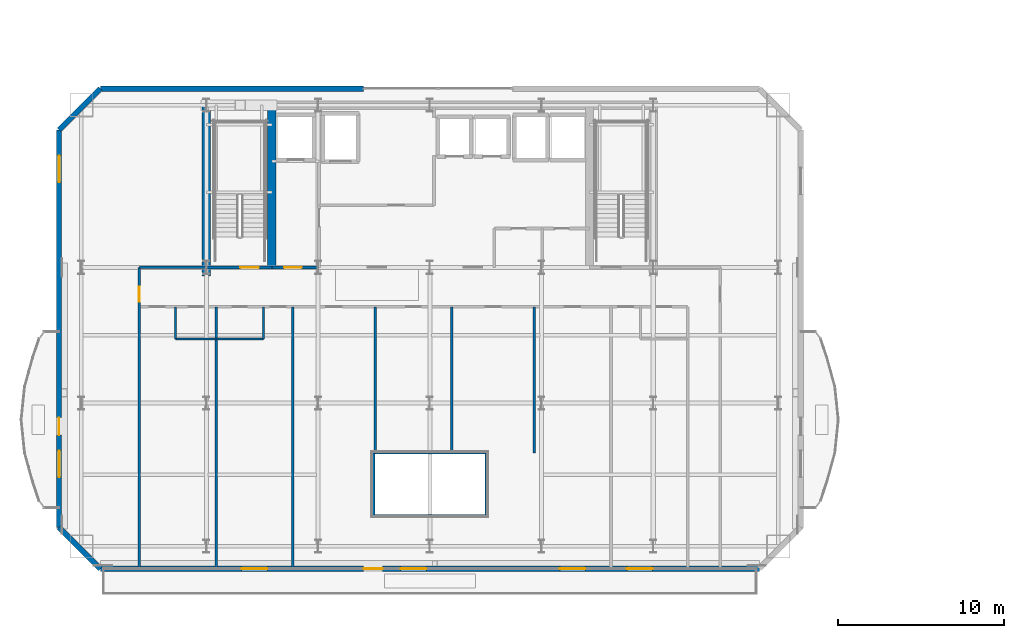
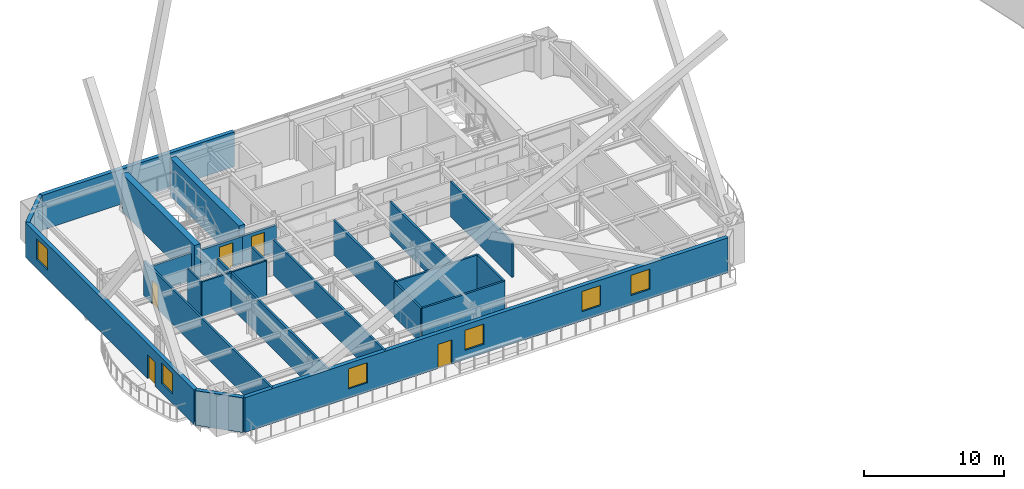
# One storey, part 11 of 22: 24 walls, 6 windows, 5 doors, 11 openings.
"""IFC4 building model written with IfcOpenShell, lengths in metres."""

from ifc_helpers import new_model, si_unit, direction, frame, frame_2d, origin, place, context, subcontext, project, spatial, rectangle, extrude, material, layer, layer_set, type_object, element, fill, save


model = new_model("IFC4")

# Units and contexts
model_context = context("Model", 3, precision=1e-05, world=origin(), true_north=direction((0.0, 1.0)))
body_context = subcontext(model_context, "Body", "Model", "MODEL_VIEW")
ifc_project = project(units=[si_unit("LENGTHUNIT", "METRE"), si_unit("AREAUNIT", "SQUARE_METRE"), si_unit("VOLUMEUNIT", "CUBIC_METRE"), si_unit("PLANEANGLEUNIT", "RADIAN"), si_unit("MASSUNIT", "GRAM", prefix="KILO")], contexts=[model_context])

# Site, building, storey
site_placement = place(None, origin())
site = spatial("IfcSite", under=ifc_project, at=site_placement, CompositionType="ELEMENT")
building_placement = place(site_placement, origin())
building = spatial("IfcBuilding", under=site, at=building_placement, Name="Haevon Station Towers", CompositionType="ELEMENT")
storey_placement = place(building_placement, frame((0.0, 0.0, 113.10009765625)))
storey = spatial("IfcBuildingStorey", under=building, at=storey_placement, Name="L30", CompositionType="ELEMENT", Elevation=113.10009765625)

# Wall, opening, door
ifc_material_1 = material(Name="Gypsum board on steel stud", Category="steel")
ifc_layer_1 = layer(ifc_material_1, 0.199951171875)
ifc_layer_set_1 = layer_set([ifc_layer_1], Name="Gypsum board on steel stud")
wall_type_1 = type_object("IfcWallType", Name="WL-COR200", PredefinedType="PARTITIONING", material=ifc_layer_set_1)
wall_1_placement = place(storey_placement, frame((24.0, 38.199951171875, 0.0), z_axis=(0.0, 0.0, 1.0), x_axis=(1.0, 0.0, 0.0)))
wall_1 = element("IfcWall", 1, at=wall_1_placement, inside=storey, type_object=wall_type_1, Name="WL-ST-ST1-L30", PredefinedType="PARTITIONING", context=body_context, shape_type="SweptSolid", body=[
    extrude(rectangle(XDim=3.949951171875, YDim=0.199951171875, at=frame_2d((1.97509765625, 0.0))), origin(), (0.0, 0.0, 1.0), 2.3798828125),
])
opening_1_placement = place(wall_1_placement, frame((2.050048828125, 0.0, 0.0)))
opening_1 = element("IfcOpeningElement", 2, at=opening_1_placement, cuts=wall_1, Name="Opening DR-ST-ST1-L30", PredefinedType="OPENING", context=body_context, shape_type="SweptSolid", body=[
    extrude(rectangle(XDim=1.1201171875, YDim=2.10009765625, at=frame_2d((0.56005859375, 1.050048828125))), frame((0.0, 0.10986328125, 0.0), z_axis=(0.0, -1.0, 0.0), x_axis=(1.0, 0.0, 0.0)), (0.0, 0.0, 1.0), 0.219970703125),
])
ifc_material_2 = material(Name="Engineered oak timber", Category="wood")
door_type_1 = type_object("IfcDoorType", Name="DR-ST-1120", OperationType="NOTDEFINED", PredefinedType="DOOR", material=ifc_material_2)
door_1_placement = place(opening_1_placement, origin())
door_1 = element("IfcDoor", 3, at=door_1_placement, inside=storey, type_object=door_type_1, Name="L30 Escape Stair ST1 Fire Door", OperationType="SINGLE_SWING_RIGHT", OverallHeight=2.10009765625, OverallWidth=1.1201171875, PredefinedType="DOOR", context=body_context, shape_type="SweptSolid", body=[
    extrude(rectangle(XDim=1.1201171875, YDim=2.10009765625, at=frame_2d((0.56005859375, 1.050048828125))), frame((0.0, 0.02490234375, 0.0), z_axis=(0.0, -1.0, 0.0), x_axis=(1.0, 0.0, 0.0)), (0.0, 0.0, 1.0), 0.050048828125),
])
fill(opening_1, door_1)

wall_2_placement = place(storey_placement, frame((27.949951171875, 38.199951171875, 0.0), z_axis=(0.0, 0.0, 1.0), x_axis=(1.0, 0.0, 0.0)))
wall_2 = element("IfcWall", 4, at=wall_2_placement, inside=storey, type_object=wall_type_1, Name="WL-T1FFL-L30-S", PredefinedType="PARTITIONING", context=body_context, shape_type="SweptSolid", body=[
    extrude(rectangle(XDim=2.85009765625, YDim=0.199951171875, at=frame_2d((1.425048828125, 0.0))), origin(), (0.0, 0.0, 1.0), 2.3798828125),
])
opening_2_placement = place(wall_2_placement, frame((0.75, 0.0, 0.0)))
opening_2 = element("IfcOpeningElement", 5, at=opening_2_placement, cuts=wall_2, Name="Opening DR-T1FFL-L30-S", PredefinedType="OPENING", context=body_context, shape_type="SweptSolid", body=[
    extrude(rectangle(XDim=1.050048828125, YDim=2.10009765625, at=frame_2d((0.52490234375, 1.050048828125))), frame((0.0, 0.10986328125, 0.0), z_axis=(0.0, -1.0, 0.0), x_axis=(1.0, 0.0, 0.0)), (0.0, 0.0, 1.0), 0.219970703125),
])
door_type_2 = type_object("IfcDoorType", Name="DR-FD60-1050", OperationType="NOTDEFINED", PredefinedType="DOOR", material=ifc_material_2)
door_2_placement = place(opening_2_placement, origin())
door_2 = element("IfcDoor", 6, at=door_2_placement, inside=storey, type_object=door_type_2, Name="L30 Tower 1 Firefighting Lift Lobby Door S", OperationType="SINGLE_SWING_LEFT", OverallHeight=2.10009765625, OverallWidth=1.050048828125, PredefinedType="DOOR", context=body_context, shape_type="SweptSolid", body=[
    extrude(rectangle(XDim=1.050048828125, YDim=2.10009765625, at=frame_2d((0.52490234375, 1.050048828125))), frame((0.0, 0.02490234375, 0.0), z_axis=(0.0, -1.0, 0.0), x_axis=(1.0, 0.0, 0.0)), (0.0, 0.0, 1.0), 0.050048828125),
])
fill(opening_2, door_2)

# Walls
ifc_material_3 = material(Name="Concrete C60/75", Category="concrete")
ifc_layer_2 = layer(ifc_material_3, 0.5)
ifc_layer_set_2 = layer_set([ifc_layer_2], Name="Concrete C60/75")
wall_type_2 = type_object("IfcWallType", Name="WL-CR500", PredefinedType="SHEAR", material=ifc_layer_set_2)
wall_3_placement = place(storey_placement, frame((24.0, 37.679931640625, 0.0), z_axis=(0.0, 0.0, 1.0), x_axis=(0.0, 1.0, 0.0)))
element("IfcWall", 7, at=wall_3_placement, inside=storey, type_object=wall_type_2, Name="WL-T1CR-L30-W", PredefinedType="SHEAR", context=body_context, shape_type="SweptSolid", body=[
    extrude(rectangle(XDim=10.320068359375, YDim=0.5, at=frame_2d((5.16015625, 0.0))), origin(), (0.0, 0.0, 1.0), 3.2998046875),
])
wall_4_placement = place(storey_placement, frame((27.949951171875, 38.199951171875, 0.0), z_axis=(0.0, 0.0, 1.0), x_axis=(0.0, 1.0, 0.0)))
element("IfcWall", 8, at=wall_4_placement, inside=storey, type_object=wall_type_2, Name="WL-T1CR-L30-M1", PredefinedType="SHEAR", context=body_context, shape_type="SweptSolid", body=[
    extrude(rectangle(XDim=9.800048828125, YDim=0.5, at=frame_2d((4.89990234375, 0.0))), origin(), (0.0, 0.0, 1.0), 3.2998046875),
])

# Wall, openings, door, windows
ifc_material_4 = material(Name="Precast concrete C45/55", Category="concrete")
ifc_layer_3 = layer(ifc_material_4, 0.320068359375)
ifc_layer_set_3 = layer_set([ifc_layer_3], Name="Precast concrete C45/55")
wall_type_3 = type_object("IfcWallType", Name="WL-EXT-PIER320", PredefinedType="SOLIDWALL", material=ifc_layer_set_3)
wall_5_placement = place(storey_placement, frame((57.39990234375, 20.0, 0.0), z_axis=(0.0, 0.0, 1.0), x_axis=(-1.0, 0.0, 0.0)))
wall_5 = element("IfcWall", 9, at=wall_5_placement, inside=storey, type_object=wall_type_3, Name="WL-T1-L30-S", PredefinedType="SOLIDWALL", context=body_context, shape_type="SweptSolid", body=[
    extrude(rectangle(XDim=39.7998046875, YDim=0.320068359375, at=frame_2d((19.89990234375, 0.0))), origin(), (0.0, 0.0, 1.0), 3.02978515625),
])
opening_3_placement = place(wall_5_placement, frame((22.752685546875, 0.0, 0.0)))
opening_3 = element("IfcOpeningElement", 10, at=opening_3_placement, cuts=wall_5, Name="Opening DR-T1-SKYG-L30", PredefinedType="OPENING", context=body_context, shape_type="SweptSolid", body=[
    extrude(rectangle(XDim=1.14990234375, YDim=2.10009765625, at=frame_2d((0.574951171875, 1.050048828125))), frame((0.0, 0.169921875, 0.0), z_axis=(0.0, -1.0, 0.0), x_axis=(1.0, 0.0, 0.0)), (0.0, 0.0, 1.0), 0.340087890625),
])
opening_4_placement = place(wall_5_placement, frame((29.7177734375, 0.0, 0.800048828125)))
opening_4 = element("IfcOpeningElement", 11, at=opening_4_placement, cuts=wall_5, Name="Opening WN-P155", PredefinedType="OPENING", context=body_context, shape_type="SweptSolid", body=[
    extrude(rectangle(XDim=1.550048828125, YDim=1.75, at=frame_2d((0.77490234375, 0.875))), frame((0.0, 0.169921875, 0.0), z_axis=(0.0, -1.0, 0.0), x_axis=(1.0, 0.0, 0.0)), (0.0, 0.0, 1.0), 0.340087890625),
])
opening_5_placement = place(wall_5_placement, frame((20.110107421875, 0.0, 0.800048828125)))
opening_5 = element("IfcOpeningElement", 12, at=opening_5_placement, cuts=wall_5, Name="Opening WN-P155", PredefinedType="OPENING", context=body_context, shape_type="SweptSolid", body=[
    extrude(rectangle(XDim=1.550048828125, YDim=1.75, at=frame_2d((0.77490234375, 0.875))), frame((0.0, 0.169921875, 0.0), z_axis=(0.0, -1.0, 0.0), x_axis=(1.0, 0.0, 0.0)), (0.0, 0.0, 1.0), 0.340087890625),
])
opening_6_placement = place(wall_5_placement, frame((10.502197265625, 0.0, 0.800048828125)))
opening_6 = element("IfcOpeningElement", 13, at=opening_6_placement, cuts=wall_5, Name="Opening WN-P155", PredefinedType="OPENING", context=body_context, shape_type="SweptSolid", body=[
    extrude(rectangle(XDim=1.550048828125, YDim=1.75, at=frame_2d((0.77490234375, 0.875))), frame((0.0, 0.169921875, 0.0), z_axis=(0.0, -1.0, 0.0), x_axis=(1.0, 0.0, 0.0)), (0.0, 0.0, 1.0), 0.340087890625),
])
opening_7_placement = place(wall_5_placement, frame((6.4462890625, 0.0, 0.800048828125)))
opening_7 = element("IfcOpeningElement", 14, at=opening_7_placement, cuts=wall_5, Name="Opening WN-P155", PredefinedType="OPENING", context=body_context, shape_type="SweptSolid", body=[
    extrude(rectangle(XDim=1.550048828125, YDim=1.75, at=frame_2d((0.77490234375, 0.875))), frame((0.0, 0.169921875, 0.0), z_axis=(0.0, -1.0, 0.0), x_axis=(1.0, 0.0, 0.0)), (0.0, 0.0, 1.0), 0.340087890625),
])
ifc_material_5 = material(Name="Thermally broken anodised aluminium and laminated safety glass", Category="aluminium")
door_type_3 = type_object("IfcDoorType", Name="DR-BALC-1150", OperationType="NOTDEFINED", PredefinedType="DOOR", material=ifc_material_5)
door_3_placement = place(opening_3_placement, origin())
door_3 = element("IfcDoor", 15, at=door_3_placement, inside=storey, type_object=door_type_3, Name="Tower 1 L30 Sky Garden Terrace Door", OperationType="SINGLE_SWING_RIGHT", OverallHeight=2.10009765625, OverallWidth=1.14990234375, PredefinedType="DOOR", context=body_context, shape_type="SweptSolid", body=[
    extrude(rectangle(XDim=1.14990234375, YDim=2.10009765625, at=frame_2d((0.574951171875, 1.050048828125))), frame((0.0, 0.02490234375, 0.0), z_axis=(0.0, -1.0, 0.0), x_axis=(1.0, 0.0, 0.0)), (0.0, 0.0, 1.0), 0.050048828125),
])
fill(opening_3, door_3)
ifc_material_6 = material(Name="Low-E triple glazing in thermally broken aluminium", Category="aluminium")
window_type_1 = type_object("IfcWindowType", Name="WN-P155", PartitioningType="SINGLE_PANEL", PredefinedType="WINDOW", material=ifc_material_6)
window_1_placement = place(opening_4_placement, origin())
window_1 = element("IfcWindow", 16, at=window_1_placement, inside=storey, type_object=window_type_1, Name="WN-T1-L30-S01", OverallHeight=1.75, OverallWidth=1.550048828125, PartitioningType="SINGLE_PANEL", PredefinedType="WINDOW", context=body_context, shape_type="SweptSolid", body=[
    extrude(rectangle(XDim=1.550048828125, YDim=1.75, at=frame_2d((0.77490234375, 0.875))), frame((0.0, 0.030029296875, 0.0), z_axis=(0.0, -1.0, 0.0), x_axis=(1.0, 0.0, 0.0)), (0.0, 0.0, 1.0), 0.06005859375),
])
fill(opening_4, window_1)
window_2_placement = place(opening_5_placement, origin())
window_2 = element("IfcWindow", 17, at=window_2_placement, inside=storey, type_object=window_type_1, Name="WN-T1-L30-S02", OverallHeight=1.75, OverallWidth=1.550048828125, PartitioningType="SINGLE_PANEL", PredefinedType="WINDOW", context=body_context, shape_type="SweptSolid", body=[
    extrude(rectangle(XDim=1.550048828125, YDim=1.75, at=frame_2d((0.77490234375, 0.875))), frame((0.0, 0.030029296875, 0.0), z_axis=(0.0, -1.0, 0.0), x_axis=(1.0, 0.0, 0.0)), (0.0, 0.0, 1.0), 0.06005859375),
])
fill(opening_5, window_2)
window_3_placement = place(opening_6_placement, origin())
window_3 = element("IfcWindow", 18, at=window_3_placement, inside=storey, type_object=window_type_1, Name="WN-T1-L30-S03", OverallHeight=1.75, OverallWidth=1.550048828125, PartitioningType="SINGLE_PANEL", PredefinedType="WINDOW", context=body_context, shape_type="SweptSolid", body=[
    extrude(rectangle(XDim=1.550048828125, YDim=1.75, at=frame_2d((0.77490234375, 0.875))), frame((0.0, 0.030029296875, 0.0), z_axis=(0.0, -1.0, 0.0), x_axis=(1.0, 0.0, 0.0)), (0.0, 0.0, 1.0), 0.06005859375),
])
fill(opening_6, window_3)
window_4_placement = place(opening_7_placement, origin())
window_4 = element("IfcWindow", 19, at=window_4_placement, inside=storey, type_object=window_type_1, Name="WN-T1-L30-S04", OverallHeight=1.75, OverallWidth=1.550048828125, PartitioningType="SINGLE_PANEL", PredefinedType="WINDOW", context=body_context, shape_type="SweptSolid", body=[
    extrude(rectangle(XDim=1.550048828125, YDim=1.75, at=frame_2d((0.77490234375, 0.875))), frame((0.0, 0.030029296875, 0.0), z_axis=(0.0, -1.0, 0.0), x_axis=(1.0, 0.0, 0.0)), (0.0, 0.0, 1.0), 0.06005859375),
])
fill(opening_7, window_4)

# Wall
wall_6_placement = place(storey_placement, frame((17.60009765625, 20.0, 0.0), z_axis=(0.0, 0.0, 1.0), x_axis=(-0.707106781187, 0.707106781187, 0.0)))
element("IfcWall", 20, at=wall_6_placement, inside=storey, type_object=wall_type_3, Name="WL-T1-L30-SWC", PredefinedType="SOLIDWALL", context=body_context, shape_type="SweptSolid", body=[
    extrude(rectangle(XDim=3.53564453125, YDim=0.320068359375, at=frame_2d((1.767822265625, 0.0))), origin(), (0.0, 0.0, 1.0), 3.02978515625),
])

# Wall, openings, door, windows
wall_7_placement = place(storey_placement, frame((15.10009765625, 22.5, 0.0), z_axis=(0.0, 0.0, 1.0), x_axis=(0.0, 1.0, 0.0)))
wall_7 = element("IfcWall", 21, at=wall_7_placement, inside=storey, type_object=wall_type_3, Name="WL-T1-L30-W", PredefinedType="SOLIDWALL", context=body_context, shape_type="SweptSolid", body=[
    extrude(rectangle(XDim=24.0, YDim=0.320068359375, at=frame_2d((12.0, 0.0))), origin(), (0.0, 0.0, 1.0), 3.02978515625),
])
opening_8_placement = place(wall_7_placement, frame((5.574951171875, 0.0, 0.0)))
opening_8 = element("IfcOpeningElement", 22, at=opening_8_placement, cuts=wall_7, Name="Opening DR-T1-SCAL-L30-W", PredefinedType="OPENING", context=body_context, shape_type="SweptSolid", body=[
    extrude(rectangle(XDim=1.050048828125, YDim=2.10009765625, at=frame_2d((0.52490234375, 1.050048828125))), frame((0.0, 0.169921875, 0.0), z_axis=(0.0, -1.0, 0.0), x_axis=(1.0, 0.0, 0.0)), (0.0, 0.0, 1.0), 0.340087890625),
])
opening_9_placement = place(wall_7_placement, frame((3.028564453125, 0.0, 0.800048828125)))
opening_9 = element("IfcOpeningElement", 23, at=opening_9_placement, cuts=wall_7, Name="Opening WN-END160", PredefinedType="OPENING", context=body_context, shape_type="SweptSolid", body=[
    extrude(rectangle(XDim=1.60009765625, YDim=1.800048828125, at=frame_2d((0.800048828125, 0.89990234375))), frame((0.0, 0.169921875, 0.0), z_axis=(0.0, -1.0, 0.0), x_axis=(1.0, 0.0, 0.0)), (0.0, 0.0, 1.0), 0.340087890625),
])
opening_10_placement = place(wall_7_placement, frame((20.857177734375, 0.0, 0.800048828125)))
opening_10 = element("IfcOpeningElement", 24, at=opening_10_placement, cuts=wall_7, Name="Opening WN-END160", PredefinedType="OPENING", context=body_context, shape_type="SweptSolid", body=[
    extrude(rectangle(XDim=1.60009765625, YDim=1.800048828125, at=frame_2d((0.800048828125, 0.89990234375))), frame((0.0, 0.169921875, 0.0), z_axis=(0.0, -1.0, 0.0), x_axis=(1.0, 0.0, 0.0)), (0.0, 0.0, 1.0), 0.340087890625),
])
door_type_4 = type_object("IfcDoorType", Name="DR-BALC-1050", OperationType="NOTDEFINED", PredefinedType="DOOR", material=ifc_material_5)
door_4_placement = place(opening_8_placement, origin())
door_4 = element("IfcDoor", 25, at=door_4_placement, inside=storey, type_object=door_type_4, Name="Tower 1 L30 West Scalloped Balcony Door", OperationType="SINGLE_SWING_LEFT", OverallHeight=2.10009765625, OverallWidth=1.050048828125, PredefinedType="DOOR", context=body_context, shape_type="SweptSolid", body=[
    extrude(rectangle(XDim=1.050048828125, YDim=2.10009765625, at=frame_2d((0.52490234375, 1.050048828125))), frame((0.0, 0.02490234375, 0.0), z_axis=(0.0, -1.0, 0.0), x_axis=(1.0, 0.0, 0.0)), (0.0, 0.0, 1.0), 0.050048828125),
])
fill(opening_8, door_4)
window_type_2 = type_object("IfcWindowType", Name="WN-END160", PartitioningType="SINGLE_PANEL", PredefinedType="WINDOW", material=ifc_material_6)
window_5_placement = place(opening_9_placement, origin())
window_5 = element("IfcWindow", 26, at=window_5_placement, inside=storey, type_object=window_type_2, Name="WN-T1-L30-W01", OverallHeight=1.800048828125, OverallWidth=1.60009765625, PartitioningType="SINGLE_PANEL", PredefinedType="WINDOW", context=body_context, shape_type="SweptSolid", body=[
    extrude(rectangle(XDim=1.60009765625, YDim=1.800048828125, at=frame_2d((0.800048828125, 0.89990234375))), frame((0.0, 0.030029296875, 0.0), z_axis=(0.0, -1.0, 0.0), x_axis=(1.0, 0.0, 0.0)), (0.0, 0.0, 1.0), 0.06005859375),
])
fill(opening_9, window_5)
window_6_placement = place(opening_10_placement, origin())
window_6 = element("IfcWindow", 27, at=window_6_placement, inside=storey, type_object=window_type_2, Name="WN-T1-L30-W02", OverallHeight=1.800048828125, OverallWidth=1.60009765625, PartitioningType="SINGLE_PANEL", PredefinedType="WINDOW", context=body_context, shape_type="SweptSolid", body=[
    extrude(rectangle(XDim=1.60009765625, YDim=1.800048828125, at=frame_2d((0.800048828125, 0.89990234375))), frame((0.0, 0.030029296875, 0.0), z_axis=(0.0, -1.0, 0.0), x_axis=(1.0, 0.0, 0.0)), (0.0, 0.0, 1.0), 0.06005859375),
])
fill(opening_10, window_6)

# Walls
wall_8_placement = place(storey_placement, frame((15.10009765625, 46.5, 0.0), z_axis=(0.0, 0.0, 1.0), x_axis=(0.707106781187, 0.707106781187, 0.0)))
element("IfcWall", 28, at=wall_8_placement, inside=storey, type_object=wall_type_3, Name="WL-T1-L30-NWC", PredefinedType="SOLIDWALL", context=body_context, shape_type="SweptSolid", body=[
    extrude(rectangle(XDim=3.53564453125, YDim=0.320068359375, at=frame_2d((1.767822265625, 0.0))), origin(), (0.0, 0.0, 1.0), 3.02978515625),
])
wall_9_placement = place(storey_placement, frame((17.60009765625, 49.0, 0.0), z_axis=(0.0, 0.0, 1.0), x_axis=(1.0, 0.0, 0.0)))
element("IfcWall", 29, at=wall_9_placement, inside=storey, type_object=wall_type_3, Name="WL-T1-L30-N1", PredefinedType="SOLIDWALL", context=body_context, shape_type="SweptSolid", body=[
    extrude(rectangle(XDim=15.89990234375, YDim=0.320068359375, at=frame_2d((7.949951171875, 0.0))), origin(), (0.0, 0.0, 1.0), 3.02978515625),
])
ifc_layer_4 = layer(ifc_material_1, 0.125)
ifc_layer_set_4 = layer_set([ifc_layer_4], Name="Gypsum board on steel stud")
wall_type_4 = type_object("IfcWallType", Name="WL-PRT125", PredefinedType="PARTITIONING", material=ifc_layer_set_4)
wall_10_placement = place(storey_placement, frame((22.13818359375, 33.8701171875, 0.0), z_axis=(0.0, 0.0, 1.0), x_axis=(0.0, 1.0, 0.0)))
element("IfcWall", 30, at=wall_10_placement, inside=storey, type_object=wall_type_4, Name="WL-T1PT-L30-11", PredefinedType="PARTITIONING", context=body_context, shape_type="SweptSolid", body=[
    extrude(rectangle(XDim=1.949951171875, YDim=0.125, at=frame_2d((0.97509765625, 0.0))), origin(), (0.0, 0.0, 1.0), 3.02978515625),
])
wall_11_placement = place(storey_placement, frame((24.588134765625, 33.8701171875, 0.0), z_axis=(0.0, 0.0, 1.0), x_axis=(1.0, 0.0, 0.0)))
element("IfcWall", 31, at=wall_11_placement, inside=storey, type_object=wall_type_4, Name="WL-T1PT-L30-13", PredefinedType="PARTITIONING", context=body_context, shape_type="SweptSolid", body=[
    extrude(rectangle(XDim=2.858154296875, YDim=0.125, at=frame_2d((1.42919921875, 0.0))), origin(), (0.0, 0.0, 1.0), 3.02978515625),
])
ifc_layer_5 = layer(ifc_material_1, 0.139892578125)
ifc_layer_set_5 = layer_set([ifc_layer_5], Name="Gypsum board on steel stud")
wall_type_5 = type_object("IfcWallType", Name="WL-PRT140", PredefinedType="PARTITIONING", material=ifc_layer_set_5)
wall_12_placement = place(storey_placement, frame((22.13818359375, 33.8701171875, 0.0), z_axis=(0.0, 0.0, 1.0), x_axis=(1.0, 0.0, 0.0)))
element("IfcWall", 32, at=wall_12_placement, inside=storey, type_object=wall_type_5, Name="WL-T1PT-L30-10", PredefinedType="PARTITIONING", context=body_context, shape_type="SweptSolid", body=[
    extrude(rectangle(XDim=2.449951171875, YDim=0.139892578125, at=frame_2d((1.22509765625, 0.0))), origin(), (0.0, 0.0, 1.0), 3.02978515625),
])
wall_13_placement = place(storey_placement, frame((27.4462890625, 33.8701171875, 0.0), z_axis=(0.0, 0.0, 1.0), x_axis=(0.0, 1.0, 0.0)))
element("IfcWall", 33, at=wall_13_placement, inside=storey, type_object=wall_type_5, Name="WL-T1PT-L30-14", PredefinedType="PARTITIONING", context=body_context, shape_type="SweptSolid", body=[
    extrude(rectangle(XDim=1.949951171875, YDim=0.139892578125, at=frame_2d((0.97509765625, 0.0))), origin(), (0.0, 0.0, 1.0), 3.02978515625),
])
ifc_layer_6 = layer(ifc_material_1, 0.159912109375)
ifc_layer_set_6 = layer_set([ifc_layer_6], Name="Gypsum board on steel stud")
wall_type_6 = type_object("IfcWallType", Name="WL-PRT160", PredefinedType="PARTITIONING", material=ifc_layer_set_6)
wall_14_placement = place(storey_placement, frame((19.949951171875, 38.199951171875, 0.0), z_axis=(0.0, 0.0, 1.0), x_axis=(1.0, 0.0, 0.0)))
element("IfcWall", 34, at=wall_14_placement, inside=storey, type_object=wall_type_6, Name="WL-T1PT-L30-02", PredefinedType="PARTITIONING", context=body_context, shape_type="SweptSolid", body=[
    extrude(rectangle(XDim=4.050048828125, YDim=0.159912109375, at=frame_2d((2.02490234375, 0.0))), origin(), (0.0, 0.0, 1.0), 2.3798828125),
])

# Wall, opening, door
wall_15_placement = place(storey_placement, frame((19.949951171875, 20.0, 0.0), z_axis=(0.0, 0.0, 1.0), x_axis=(0.0, 1.0, 0.0)))
wall_15 = element("IfcWall", 35, at=wall_15_placement, inside=storey, type_object=wall_type_6, Name="WL-T1PT-L30-04", PredefinedType="PARTITIONING", context=body_context, shape_type="SweptSolid", body=[
    extrude(rectangle(XDim=18.199951171875, YDim=0.159912109375, at=frame_2d((9.10009765625, 0.0))), origin(), (0.0, 0.0, 1.0), 3.02978515625),
])
opening_11_placement = place(wall_15_placement, frame((16.139892578125, 0.0, 0.0)))
opening_11 = element("IfcOpeningElement", 36, at=opening_11_placement, cuts=wall_15, Name="Opening DR-WL-T1PT-L30-04-01", PredefinedType="OPENING", context=body_context, shape_type="SweptSolid", body=[
    extrude(rectangle(XDim=0.89990234375, YDim=2.050048828125, at=frame_2d((0.449951171875, 1.02490234375))), frame((0.0, 0.08984375, 0.0), z_axis=(0.0, -1.0, 0.0), x_axis=(1.0, 0.0, 0.0)), (0.0, 0.0, 1.0), 0.179931640625),
])
door_type_5 = type_object("IfcDoorType", Name="DR-INT-900", OperationType="NOTDEFINED", PredefinedType="DOOR", material=ifc_material_2)
door_5_placement = place(opening_11_placement, origin())
door_5 = element("IfcDoor", 37, at=door_5_placement, inside=storey, type_object=door_type_5, Name="L30 Tower 1 Room Door 4-1", OperationType="SINGLE_SWING_LEFT", OverallHeight=2.050048828125, OverallWidth=0.89990234375, PredefinedType="DOOR", context=body_context, shape_type="SweptSolid", body=[
    extrude(rectangle(XDim=0.89990234375, YDim=2.050048828125, at=frame_2d((0.449951171875, 1.02490234375))), frame((0.0, 0.02490234375, 0.0), z_axis=(0.0, -1.0, 0.0), x_axis=(1.0, 0.0, 0.0)), (0.0, 0.0, 1.0), 0.050048828125),
])
fill(opening_11, door_5)

# Walls
for number, where, z_axis, x_axis, name in (
    (38, (34.10009765625, 23.199951171875, 0.0), (0.0, 0.0, 1.0), (1.0, 0.0, 0.0), "WL-T1PT-L30-06"),
    (39, (34.10009765625, 27.0, 0.0), (0.0, 0.0, 1.0), (1.0, 0.0, 0.0), "WL-T1PT-L30-07"),
):
    element("IfcWall", number, at=place(storey_placement, frame(where, z_axis=z_axis, x_axis=x_axis)), inside=storey, type_object=wall_type_6, Name=name, PredefinedType="PARTITIONING", context=body_context, shape_type="SweptSolid", body=[
        extrude(rectangle(XDim=6.7998046875, YDim=0.159912109375, at=frame_2d((3.39990234375, 0.0))), origin(), (0.0, 0.0, 1.0), 3.02978515625),
    ])
for number, where, z_axis, x_axis, name in (
    (40, (34.10009765625, 23.199951171875, 0.0), (0.0, 0.0, 1.0), (0.0, 1.0, 0.0), "WL-T1PT-L30-08"),
    (41, (40.89990234375, 23.199951171875, 0.0), (0.0, 0.0, 1.0), (0.0, 1.0, 0.0), "WL-T1PT-L30-09"),
):
    element("IfcWall", number, at=place(storey_placement, frame(where, z_axis=z_axis, x_axis=x_axis)), inside=storey, type_object=wall_type_6, Name=name, PredefinedType="PARTITIONING", context=body_context, shape_type="SweptSolid", body=[
        extrude(rectangle(XDim=3.800048828125, YDim=0.159912109375, at=frame_2d((1.89990234375, 0.0))), origin(), (0.0, 0.0, 1.0), 3.02978515625),
    ])
for number, where, z_axis, x_axis, name in (
    (42, (24.588134765625, 20.0, 0.0), (0.0, 0.0, 1.0), (0.0, 1.0, 0.0), "WL-T1PT-L30-12"),
    (43, (29.226318359375, 20.0, 0.0), (0.0, 0.0, 1.0), (0.0, 1.0, 0.0), "WL-T1PT-L30-15"),
):
    element("IfcWall", number, at=place(storey_placement, frame(where, z_axis=z_axis, x_axis=x_axis)), inside=storey, type_object=wall_type_6, Name=name, PredefinedType="PARTITIONING", context=body_context, shape_type="SweptSolid", body=[
        extrude(rectangle(XDim=15.820068359375, YDim=0.159912109375, at=frame_2d((7.91015625, 0.0))), origin(), (0.0, 0.0, 1.0), 3.02978515625),
    ])
for number, where, z_axis, x_axis, name in (
    (44, (34.19580078125, 27.0, 0.0), (0.0, 0.0, 1.0), (0.0, 1.0, 0.0), "WL-T1PT-L30-16"),
    (45, (38.833984375, 27.0, 0.0), (0.0, 0.0, 1.0), (0.0, 1.0, 0.0), "WL-T1PT-L30-17"),
    (46, (43.8037109375, 27.0, 0.0), (0.0, 0.0, 1.0), (0.0, 1.0, 0.0), "WL-T1PT-L30-19"),
):
    element("IfcWall", number, at=place(storey_placement, frame(where, z_axis=z_axis, x_axis=x_axis)), inside=storey, type_object=wall_type_6, Name=name, PredefinedType="PARTITIONING", context=body_context, shape_type="SweptSolid", body=[
        extrude(rectangle(XDim=8.820068359375, YDim=0.159912109375, at=frame_2d((4.41015625, 0.0))), origin(), (0.0, 0.0, 1.0), 3.02978515625),
    ])

save(model, "model.ifc")
